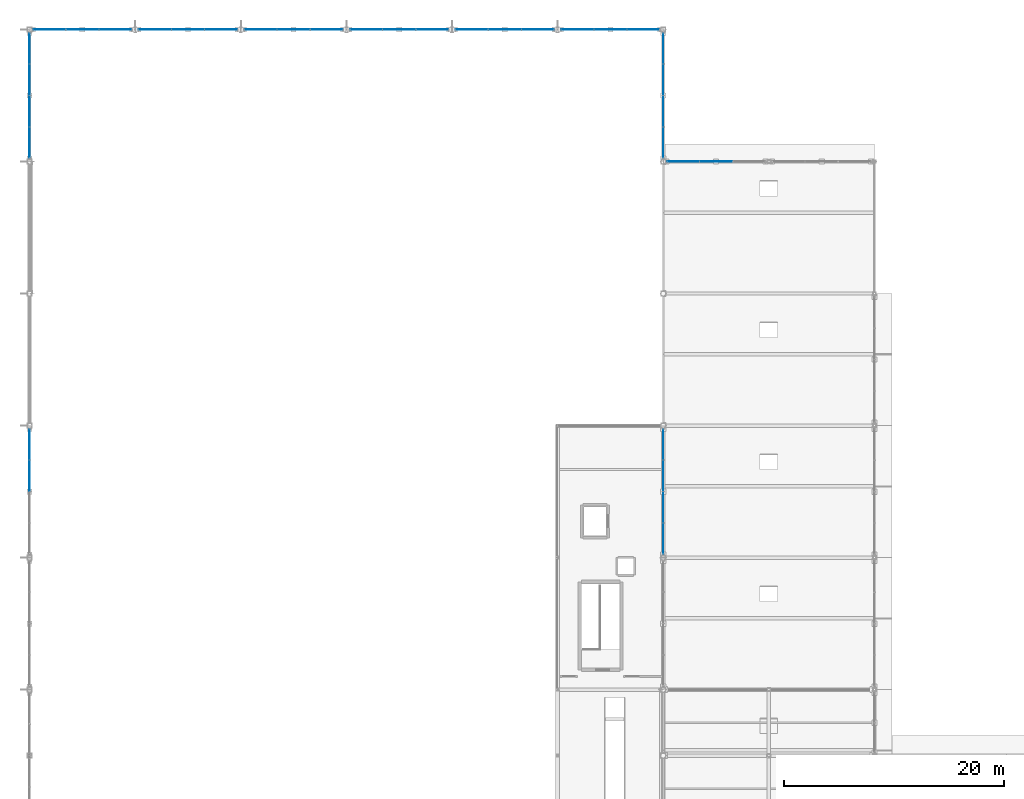
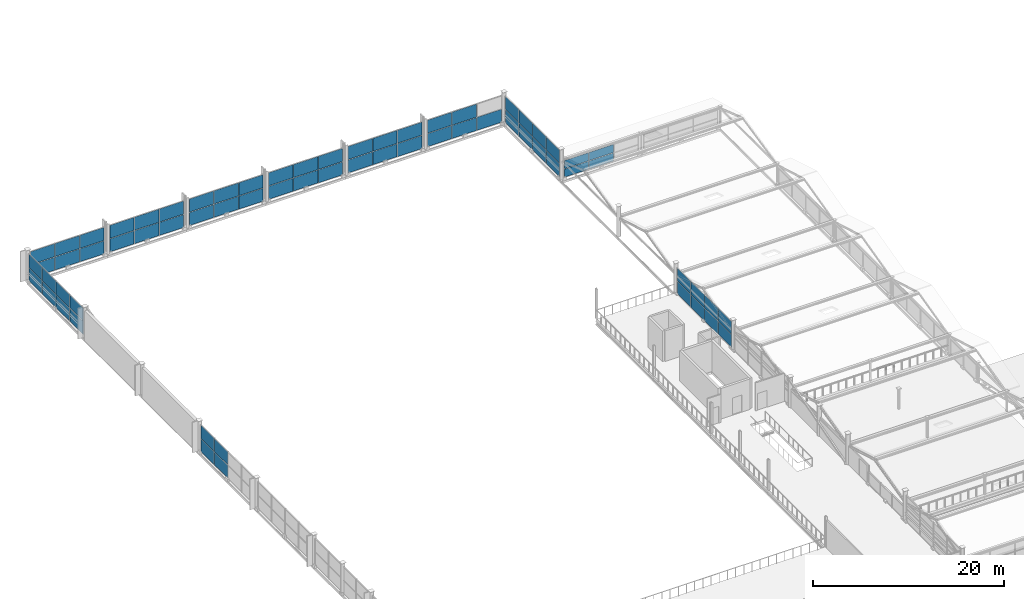
# One storey, part 94 of 117: 67 plates, 11 elements without a shape of their own.
"""IFC4 building model written with IfcOpenShell, lengths in metres."""

from ifc_helpers import new_model, si_unit, direction, frame, origin, origin_2d, place, context, subcontext, project, spatial, rectangle, extrude, material, layer, layer_set, type_object, element, aggregate, save


model = new_model("IFC4")

# Units and contexts
model_context = context("Model", 3, precision=1e-05, world=origin(), true_north=direction((0.0, 1.0)))
body_context = subcontext(model_context, "Body", "Model", "MODEL_VIEW")
ifc_project = project(units=[si_unit("LENGTHUNIT", "METRE"), si_unit("AREAUNIT", "SQUARE_METRE"), si_unit("VOLUMEUNIT", "CUBIC_METRE"), si_unit("PLANEANGLEUNIT", "RADIAN"), si_unit("MASSUNIT", "GRAM", prefix="KILO")], contexts=[model_context])

# Site, building, storey
site_placement = place(None, origin())
site = spatial("IfcSite", under=ifc_project, at=site_placement, CompositionType="ELEMENT")
building_placement = place(site_placement, origin())
building = spatial("IfcBuilding", under=site, at=building_placement, Name="Merenkruunu Market Hall", CompositionType="ELEMENT")
storey_placement = place(building_placement, frame((0.0, 0.0, 10.199951171875)))
storey = spatial("IfcBuildingStorey", under=building, at=storey_placement, Name="L02", CompositionType="ELEMENT", Elevation=10.199951171875)

# Curtain wall, plates
ifc_material_1 = material(Name="Powder-coated aluminium", Category="aluminium")
curtain_wall_type_1 = type_object("IfcCurtainWallType", Name="Glazed Curtain Wall CW13", PredefinedType="USERDEFINED", material=ifc_material_1)
curtain_wall_1_placement = place(storey_placement, origin())
curtain_wall_1 = element("IfcCurtainWall", 1, at=curtain_wall_1_placement, inside=storey, type_object=curtain_wall_type_1, Name="CW-L02-CWM02-015", ObjectType="GLAZED_FACADE", PredefinedType="USERDEFINED")
ifc_material_2 = material(Name="Triple low-E insulated glass", Category="glass")
ifc_layer_1 = layer(ifc_material_2, 0.035888671875)
ifc_layer_set_1 = layer_set([ifc_layer_1], Name="Triple low-E insulated glass")
plate_type_1 = type_object("IfcPlateType", Name="Curtain Wall Glazing Panel CWP05", PredefinedType="CURTAIN_PANEL", material=ifc_layer_set_1)
plate_1_placement = place(storey_placement, frame((0.0, 71.030029296875, 0.06005859375), z_axis=(0.0, 0.0, 1.0), x_axis=(0.0, 1.0, 0.0)))
plate_1 = element("IfcPlate", 2, at=plate_1_placement, type_object=plate_type_1, Name="CW13 panel 3.1", PredefinedType="CURTAIN_PANEL", context=body_context, shape_type="SweptSolid", body=[
    extrude(rectangle(XDim=2.800048828125, YDim=0.035888671875, at=origin_2d()), origin(), (0.0, 0.0, 1.0), 1.659912109375),
])
plate_2_placement = place(storey_placement, frame((0.0, 71.030029296875, 1.7802734375), z_axis=(0.0, 0.0, 1.0), x_axis=(0.0, 1.0, 0.0)))
plate_2 = element("IfcPlate", 3, at=plate_2_placement, type_object=plate_type_1, Name="CW13 panel 3.2", PredefinedType="CURTAIN_PANEL", context=body_context, shape_type="SweptSolid", body=[
    extrude(rectangle(XDim=2.800048828125, YDim=0.035888671875, at=origin_2d()), origin(), (0.0, 0.0, 1.0), 1.659912109375),
])
plate_3_placement = place(storey_placement, frame((0.0, 73.875, 0.06005859375), z_axis=(0.0, 0.0, 1.0), x_axis=(0.0, 1.0, 0.0)))
plate_3 = element("IfcPlate", 4, at=plate_3_placement, type_object=plate_type_1, Name="CW13 panel 4.1", PredefinedType="CURTAIN_PANEL", context=body_context, shape_type="SweptSolid", body=[
    extrude(rectangle(XDim=2.77001953125, YDim=0.035888671875, at=origin_2d()), origin(), (0.0, 0.0, 1.0), 1.659912109375),
])
plate_4_placement = place(storey_placement, frame((0.0, 73.875, 1.7802734375), z_axis=(0.0, 0.0, 1.0), x_axis=(0.0, 1.0, 0.0)))
plate_4 = element("IfcPlate", 5, at=plate_4_placement, type_object=plate_type_1, Name="CW13 panel 4.2", PredefinedType="CURTAIN_PANEL", context=body_context, shape_type="SweptSolid", body=[
    extrude(rectangle(XDim=2.77001953125, YDim=0.035888671875, at=origin_2d()), origin(), (0.0, 0.0, 1.0), 1.659912109375),
])
aggregate(curtain_wall_1, [plate_1, plate_2, plate_3, plate_4])

curtain_wall_type_2 = type_object("IfcCurtainWallType", Name="Glazed Curtain Wall CW10", PredefinedType="USERDEFINED", material=ifc_material_1)
curtain_wall_2_placement = place(storey_placement, origin())
curtain_wall_2 = element("IfcCurtainWall", 6, at=curtain_wall_2_placement, inside=storey, type_object=curtain_wall_type_2, Name="CW-L02-CWM02-053", ObjectType="GLAZED_FACADE", PredefinedType="USERDEFINED")
plate_5_placement = place(storey_placement, frame((1.8017578125, 111.60009765625, 0.06005859375), z_axis=(0.0, 0.0, 1.0), x_axis=(1.0, 0.0, 0.0)))
plate_5 = element("IfcPlate", 7, at=plate_5_placement, type_object=plate_type_1, Name="CW10 panel 1.1", PredefinedType="CURTAIN_PANEL", context=body_context, shape_type="SweptSolid", body=[
    extrude(rectangle(XDim=2.92333984375, YDim=0.035888671875, at=origin_2d()), origin(), (0.0, 0.0, 1.0), 1.659912109375),
])
plate_6_placement = place(storey_placement, frame((1.8017578125, 111.60009765625, 1.7802734375), z_axis=(0.0, 0.0, 1.0), x_axis=(1.0, 0.0, 0.0)))
plate_6 = element("IfcPlate", 8, at=plate_6_placement, type_object=plate_type_1, Name="CW10 panel 1.2", PredefinedType="CURTAIN_PANEL", context=body_context, shape_type="SweptSolid", body=[
    extrude(rectangle(XDim=2.92333984375, YDim=0.035888671875, at=origin_2d()), origin(), (0.0, 0.0, 1.0), 1.659912109375),
])
plate_7_placement = place(storey_placement, frame((4.800048828125, 111.60009765625, 0.06005859375), z_axis=(0.0, 0.0, 1.0), x_axis=(1.0, 0.0, 0.0)))
plate_7 = element("IfcPlate", 9, at=plate_7_placement, type_object=plate_type_1, Name="CW10 panel 2.1", PredefinedType="CURTAIN_PANEL", context=body_context, shape_type="SweptSolid", body=[
    extrude(rectangle(XDim=2.953369140625, YDim=0.035888671875, at=origin_2d()), origin(), (0.0, 0.0, 1.0), 1.659912109375),
])
plate_8_placement = place(storey_placement, frame((4.800048828125, 111.60009765625, 1.7802734375), z_axis=(0.0, 0.0, 1.0), x_axis=(1.0, 0.0, 0.0)))
plate_8 = element("IfcPlate", 10, at=plate_8_placement, type_object=plate_type_1, Name="CW10 panel 2.2", PredefinedType="CURTAIN_PANEL", context=body_context, shape_type="SweptSolid", body=[
    extrude(rectangle(XDim=2.953369140625, YDim=0.035888671875, at=origin_2d()), origin(), (0.0, 0.0, 1.0), 1.659912109375),
])
plate_9_placement = place(storey_placement, frame((7.79833984375, 111.60009765625, 0.06005859375), z_axis=(0.0, 0.0, 1.0), x_axis=(1.0, 0.0, 0.0)))
plate_9 = element("IfcPlate", 11, at=plate_9_placement, type_object=plate_type_1, Name="CW10 panel 3.1", PredefinedType="CURTAIN_PANEL", context=body_context, shape_type="SweptSolid", body=[
    extrude(rectangle(XDim=2.92333984375, YDim=0.035888671875, at=origin_2d()), origin(), (0.0, 0.0, 1.0), 1.659912109375),
])
plate_10_placement = place(storey_placement, frame((7.79833984375, 111.60009765625, 1.7802734375), z_axis=(0.0, 0.0, 1.0), x_axis=(1.0, 0.0, 0.0)))
plate_10 = element("IfcPlate", 12, at=plate_10_placement, type_object=plate_type_1, Name="CW10 panel 3.2", PredefinedType="CURTAIN_PANEL", context=body_context, shape_type="SweptSolid", body=[
    extrude(rectangle(XDim=2.92333984375, YDim=0.035888671875, at=origin_2d()), origin(), (0.0, 0.0, 1.0), 1.659912109375),
])
aggregate(curtain_wall_2, [plate_5, plate_6, plate_7, plate_8, plate_9, plate_10])

curtain_wall_3_placement = place(storey_placement, origin())
curtain_wall_3 = element("IfcCurtainWall", 13, at=curtain_wall_3_placement, inside=storey, type_object=curtain_wall_type_2, Name="CW-L02-CWM02-055", ObjectType="GLAZED_FACADE", PredefinedType="USERDEFINED")
plate_11_placement = place(storey_placement, frame((11.401611328125, 111.60009765625, 0.06005859375), z_axis=(0.0, 0.0, 1.0), x_axis=(1.0, 0.0, 0.0)))
plate_11 = element("IfcPlate", 14, at=plate_11_placement, type_object=plate_type_1, Name="CW10 panel 1.1", PredefinedType="CURTAIN_PANEL", context=body_context, shape_type="SweptSolid", body=[
    extrude(rectangle(XDim=2.92333984375, YDim=0.035888671875, at=origin_2d()), origin(), (0.0, 0.0, 1.0), 1.659912109375),
])
plate_12_placement = place(storey_placement, frame((11.401611328125, 111.60009765625, 1.7802734375), z_axis=(0.0, 0.0, 1.0), x_axis=(1.0, 0.0, 0.0)))
plate_12 = element("IfcPlate", 15, at=plate_12_placement, type_object=plate_type_1, Name="CW10 panel 1.2", PredefinedType="CURTAIN_PANEL", context=body_context, shape_type="SweptSolid", body=[
    extrude(rectangle(XDim=2.92333984375, YDim=0.035888671875, at=origin_2d()), origin(), (0.0, 0.0, 1.0), 1.659912109375),
])
plate_13_placement = place(storey_placement, frame((14.39990234375, 111.60009765625, 0.06005859375), z_axis=(0.0, 0.0, 1.0), x_axis=(1.0, 0.0, 0.0)))
plate_13 = element("IfcPlate", 16, at=plate_13_placement, type_object=plate_type_1, Name="CW10 panel 2.1", PredefinedType="CURTAIN_PANEL", context=body_context, shape_type="SweptSolid", body=[
    extrude(rectangle(XDim=2.953369140625, YDim=0.035888671875, at=origin_2d()), origin(), (0.0, 0.0, 1.0), 1.659912109375),
])
plate_14_placement = place(storey_placement, frame((14.39990234375, 111.60009765625, 1.7802734375), z_axis=(0.0, 0.0, 1.0), x_axis=(1.0, 0.0, 0.0)))
plate_14 = element("IfcPlate", 17, at=plate_14_placement, type_object=plate_type_1, Name="CW10 panel 2.2", PredefinedType="CURTAIN_PANEL", context=body_context, shape_type="SweptSolid", body=[
    extrude(rectangle(XDim=2.953369140625, YDim=0.035888671875, at=origin_2d()), origin(), (0.0, 0.0, 1.0), 1.659912109375),
])
plate_15_placement = place(storey_placement, frame((17.3984375, 111.60009765625, 0.06005859375), z_axis=(0.0, 0.0, 1.0), x_axis=(1.0, 0.0, 0.0)))
plate_15 = element("IfcPlate", 18, at=plate_15_placement, type_object=plate_type_1, Name="CW10 panel 3.1", PredefinedType="CURTAIN_PANEL", context=body_context, shape_type="SweptSolid", body=[
    extrude(rectangle(XDim=2.92333984375, YDim=0.035888671875, at=origin_2d()), origin(), (0.0, 0.0, 1.0), 1.659912109375),
])
plate_16_placement = place(storey_placement, frame((17.3984375, 111.60009765625, 1.7802734375), z_axis=(0.0, 0.0, 1.0), x_axis=(1.0, 0.0, 0.0)))
plate_16 = element("IfcPlate", 19, at=plate_16_placement, type_object=plate_type_1, Name="CW10 panel 3.2", PredefinedType="CURTAIN_PANEL", context=body_context, shape_type="SweptSolid", body=[
    extrude(rectangle(XDim=2.92333984375, YDim=0.035888671875, at=origin_2d()), origin(), (0.0, 0.0, 1.0), 1.659912109375),
])
aggregate(curtain_wall_3, [plate_11, plate_12, plate_13, plate_14, plate_15, plate_16])

curtain_wall_4_placement = place(storey_placement, origin())
curtain_wall_4 = element("IfcCurtainWall", 20, at=curtain_wall_4_placement, inside=storey, type_object=curtain_wall_type_2, Name="CW-L02-CWM02-058", ObjectType="GLAZED_FACADE", PredefinedType="USERDEFINED")
plate_17_placement = place(storey_placement, frame((21.001708984375, 111.60009765625, 0.06005859375), z_axis=(0.0, 0.0, 1.0), x_axis=(1.0, 0.0, 0.0)))
plate_17 = element("IfcPlate", 21, at=plate_17_placement, type_object=plate_type_1, Name="CW10 panel 1.1", PredefinedType="CURTAIN_PANEL", context=body_context, shape_type="SweptSolid", body=[
    extrude(rectangle(XDim=2.92333984375, YDim=0.035888671875, at=origin_2d()), origin(), (0.0, 0.0, 1.0), 1.659912109375),
])
plate_18_placement = place(storey_placement, frame((21.001708984375, 111.60009765625, 1.7802734375), z_axis=(0.0, 0.0, 1.0), x_axis=(1.0, 0.0, 0.0)))
plate_18 = element("IfcPlate", 22, at=plate_18_placement, type_object=plate_type_1, Name="CW10 panel 1.2", PredefinedType="CURTAIN_PANEL", context=body_context, shape_type="SweptSolid", body=[
    extrude(rectangle(XDim=2.92333984375, YDim=0.035888671875, at=origin_2d()), origin(), (0.0, 0.0, 1.0), 1.659912109375),
])
plate_19_placement = place(storey_placement, frame((24.0, 111.60009765625, 0.06005859375), z_axis=(0.0, 0.0, 1.0), x_axis=(1.0, 0.0, 0.0)))
plate_19 = element("IfcPlate", 23, at=plate_19_placement, type_object=plate_type_1, Name="CW10 panel 2.1", PredefinedType="CURTAIN_PANEL", context=body_context, shape_type="SweptSolid", body=[
    extrude(rectangle(XDim=2.953369140625, YDim=0.035888671875, at=origin_2d()), origin(), (0.0, 0.0, 1.0), 1.659912109375),
])
plate_20_placement = place(storey_placement, frame((24.0, 111.60009765625, 1.7802734375), z_axis=(0.0, 0.0, 1.0), x_axis=(1.0, 0.0, 0.0)))
plate_20 = element("IfcPlate", 24, at=plate_20_placement, type_object=plate_type_1, Name="CW10 panel 2.2", PredefinedType="CURTAIN_PANEL", context=body_context, shape_type="SweptSolid", body=[
    extrude(rectangle(XDim=2.953369140625, YDim=0.035888671875, at=origin_2d()), origin(), (0.0, 0.0, 1.0), 1.659912109375),
])
plate_21_placement = place(storey_placement, frame((26.998291015625, 111.60009765625, 0.06005859375), z_axis=(0.0, 0.0, 1.0), x_axis=(1.0, 0.0, 0.0)))
plate_21 = element("IfcPlate", 25, at=plate_21_placement, type_object=plate_type_1, Name="CW10 panel 3.1", PredefinedType="CURTAIN_PANEL", context=body_context, shape_type="SweptSolid", body=[
    extrude(rectangle(XDim=2.92333984375, YDim=0.035888671875, at=origin_2d()), origin(), (0.0, 0.0, 1.0), 1.659912109375),
])
plate_22_placement = place(storey_placement, frame((26.998291015625, 111.60009765625, 1.7802734375), z_axis=(0.0, 0.0, 1.0), x_axis=(1.0, 0.0, 0.0)))
plate_22 = element("IfcPlate", 26, at=plate_22_placement, type_object=plate_type_1, Name="CW10 panel 3.2", PredefinedType="CURTAIN_PANEL", context=body_context, shape_type="SweptSolid", body=[
    extrude(rectangle(XDim=2.92333984375, YDim=0.035888671875, at=origin_2d()), origin(), (0.0, 0.0, 1.0), 1.659912109375),
])
aggregate(curtain_wall_4, [plate_17, plate_18, plate_19, plate_20, plate_21, plate_22])

curtain_wall_5_placement = place(storey_placement, origin())
curtain_wall_5 = element("IfcCurtainWall", 27, at=curtain_wall_5_placement, inside=storey, type_object=curtain_wall_type_2, Name="CW-L02-CWM02-061", ObjectType="GLAZED_FACADE", PredefinedType="USERDEFINED")
plate_23_placement = place(storey_placement, frame((30.6015625, 111.60009765625, 0.06005859375), z_axis=(0.0, 0.0, 1.0), x_axis=(1.0, 0.0, 0.0)))
plate_23 = element("IfcPlate", 28, at=plate_23_placement, type_object=plate_type_1, Name="CW10 panel 1.1", PredefinedType="CURTAIN_PANEL", context=body_context, shape_type="SweptSolid", body=[
    extrude(rectangle(XDim=2.92333984375, YDim=0.035888671875, at=origin_2d()), origin(), (0.0, 0.0, 1.0), 1.659912109375),
])
plate_24_placement = place(storey_placement, frame((30.6015625, 111.60009765625, 1.7802734375), z_axis=(0.0, 0.0, 1.0), x_axis=(1.0, 0.0, 0.0)))
plate_24 = element("IfcPlate", 29, at=plate_24_placement, type_object=plate_type_1, Name="CW10 panel 1.2", PredefinedType="CURTAIN_PANEL", context=body_context, shape_type="SweptSolid", body=[
    extrude(rectangle(XDim=2.92333984375, YDim=0.035888671875, at=origin_2d()), origin(), (0.0, 0.0, 1.0), 1.659912109375),
])
plate_25_placement = place(storey_placement, frame((33.60009765625, 111.60009765625, 0.06005859375), z_axis=(0.0, 0.0, 1.0), x_axis=(1.0, 0.0, 0.0)))
plate_25 = element("IfcPlate", 30, at=plate_25_placement, type_object=plate_type_1, Name="CW10 panel 2.1", PredefinedType="CURTAIN_PANEL", context=body_context, shape_type="SweptSolid", body=[
    extrude(rectangle(XDim=2.953369140625, YDim=0.035888671875, at=origin_2d()), origin(), (0.0, 0.0, 1.0), 1.659912109375),
])
plate_26_placement = place(storey_placement, frame((33.60009765625, 111.60009765625, 1.7802734375), z_axis=(0.0, 0.0, 1.0), x_axis=(1.0, 0.0, 0.0)))
plate_26 = element("IfcPlate", 31, at=plate_26_placement, type_object=plate_type_1, Name="CW10 panel 2.2", PredefinedType="CURTAIN_PANEL", context=body_context, shape_type="SweptSolid", body=[
    extrude(rectangle(XDim=2.953369140625, YDim=0.035888671875, at=origin_2d()), origin(), (0.0, 0.0, 1.0), 1.659912109375),
])
plate_27_placement = place(storey_placement, frame((36.598388671875, 111.60009765625, 0.06005859375), z_axis=(0.0, 0.0, 1.0), x_axis=(1.0, 0.0, 0.0)))
plate_27 = element("IfcPlate", 32, at=plate_27_placement, type_object=plate_type_1, Name="CW10 panel 3.1", PredefinedType="CURTAIN_PANEL", context=body_context, shape_type="SweptSolid", body=[
    extrude(rectangle(XDim=2.92333984375, YDim=0.035888671875, at=origin_2d()), origin(), (0.0, 0.0, 1.0), 1.659912109375),
])
plate_28_placement = place(storey_placement, frame((36.598388671875, 111.60009765625, 1.7802734375), z_axis=(0.0, 0.0, 1.0), x_axis=(1.0, 0.0, 0.0)))
plate_28 = element("IfcPlate", 33, at=plate_28_placement, type_object=plate_type_1, Name="CW10 panel 3.2", PredefinedType="CURTAIN_PANEL", context=body_context, shape_type="SweptSolid", body=[
    extrude(rectangle(XDim=2.92333984375, YDim=0.035888671875, at=origin_2d()), origin(), (0.0, 0.0, 1.0), 1.659912109375),
])
aggregate(curtain_wall_5, [plate_23, plate_24, plate_25, plate_26, plate_27, plate_28])

curtain_wall_6_placement = place(storey_placement, origin())
curtain_wall_6 = element("IfcCurtainWall", 34, at=curtain_wall_6_placement, inside=storey, type_object=curtain_wall_type_2, Name="CW-L02-CWM02-064", ObjectType="GLAZED_FACADE", PredefinedType="USERDEFINED")
plate_29_placement = place(storey_placement, frame((40.20166015625, 111.60009765625, 0.06005859375), z_axis=(0.0, 0.0, 1.0), x_axis=(1.0, 0.0, 0.0)))
plate_29 = element("IfcPlate", 35, at=plate_29_placement, type_object=plate_type_1, Name="CW10 panel 1.1", PredefinedType="CURTAIN_PANEL", context=body_context, shape_type="SweptSolid", body=[
    extrude(rectangle(XDim=2.92333984375, YDim=0.035888671875, at=origin_2d()), origin(), (0.0, 0.0, 1.0), 1.659912109375),
])
plate_30_placement = place(storey_placement, frame((40.20166015625, 111.60009765625, 1.7802734375), z_axis=(0.0, 0.0, 1.0), x_axis=(1.0, 0.0, 0.0)))
plate_30 = element("IfcPlate", 36, at=plate_30_placement, type_object=plate_type_1, Name="CW10 panel 1.2", PredefinedType="CURTAIN_PANEL", context=body_context, shape_type="SweptSolid", body=[
    extrude(rectangle(XDim=2.92333984375, YDim=0.035888671875, at=origin_2d()), origin(), (0.0, 0.0, 1.0), 1.659912109375),
])
plate_31_placement = place(storey_placement, frame((43.199951171875, 111.60009765625, 0.06005859375), z_axis=(0.0, 0.0, 1.0), x_axis=(1.0, 0.0, 0.0)))
plate_31 = element("IfcPlate", 37, at=plate_31_placement, type_object=plate_type_1, Name="CW10 panel 2.1", PredefinedType="CURTAIN_PANEL", context=body_context, shape_type="SweptSolid", body=[
    extrude(rectangle(XDim=2.953369140625, YDim=0.035888671875, at=origin_2d()), origin(), (0.0, 0.0, 1.0), 1.659912109375),
])
plate_32_placement = place(storey_placement, frame((43.199951171875, 111.60009765625, 1.7802734375), z_axis=(0.0, 0.0, 1.0), x_axis=(1.0, 0.0, 0.0)))
plate_32 = element("IfcPlate", 38, at=plate_32_placement, type_object=plate_type_1, Name="CW10 panel 2.2", PredefinedType="CURTAIN_PANEL", context=body_context, shape_type="SweptSolid", body=[
    extrude(rectangle(XDim=2.953369140625, YDim=0.035888671875, at=origin_2d()), origin(), (0.0, 0.0, 1.0), 1.659912109375),
])
plate_33_placement = place(storey_placement, frame((46.1982421875, 111.60009765625, 0.06005859375), z_axis=(0.0, 0.0, 1.0), x_axis=(1.0, 0.0, 0.0)))
plate_33 = element("IfcPlate", 39, at=plate_33_placement, type_object=plate_type_1, Name="CW10 panel 3.1", PredefinedType="CURTAIN_PANEL", context=body_context, shape_type="SweptSolid", body=[
    extrude(rectangle(XDim=2.92333984375, YDim=0.035888671875, at=origin_2d()), origin(), (0.0, 0.0, 1.0), 1.659912109375),
])
plate_34_placement = place(storey_placement, frame((46.1982421875, 111.60009765625, 1.7802734375), z_axis=(0.0, 0.0, 1.0), x_axis=(1.0, 0.0, 0.0)))
plate_34 = element("IfcPlate", 40, at=plate_34_placement, type_object=plate_type_1, Name="CW10 panel 3.2", PredefinedType="CURTAIN_PANEL", context=body_context, shape_type="SweptSolid", body=[
    extrude(rectangle(XDim=2.92333984375, YDim=0.035888671875, at=origin_2d()), origin(), (0.0, 0.0, 1.0), 1.659912109375),
])
aggregate(curtain_wall_6, [plate_29, plate_30, plate_31, plate_32, plate_33, plate_34])

curtain_wall_7_placement = place(storey_placement, origin())
curtain_wall_7 = element("IfcCurtainWall", 41, at=curtain_wall_7_placement, inside=storey, type_object=curtain_wall_type_2, Name="CW-L02-CWM02-066", ObjectType="GLAZED_FACADE", PredefinedType="USERDEFINED")
plate_35_placement = place(storey_placement, frame((49.8017578125, 111.60009765625, 0.06005859375), z_axis=(0.0, 0.0, 1.0), x_axis=(1.0, 0.0, 0.0)))
plate_35 = element("IfcPlate", 42, at=plate_35_placement, type_object=plate_type_1, Name="CW10 panel 1.1", PredefinedType="CURTAIN_PANEL", context=body_context, shape_type="SweptSolid", body=[
    extrude(rectangle(XDim=2.92333984375, YDim=0.035888671875, at=origin_2d()), origin(), (0.0, 0.0, 1.0), 1.659912109375),
])
plate_36_placement = place(storey_placement, frame((49.8017578125, 111.60009765625, 1.7802734375), z_axis=(0.0, 0.0, 1.0), x_axis=(1.0, 0.0, 0.0)))
plate_36 = element("IfcPlate", 43, at=plate_36_placement, type_object=plate_type_1, Name="CW10 panel 1.2", PredefinedType="CURTAIN_PANEL", context=body_context, shape_type="SweptSolid", body=[
    extrude(rectangle(XDim=2.92333984375, YDim=0.035888671875, at=origin_2d()), origin(), (0.0, 0.0, 1.0), 1.659912109375),
])
plate_37_placement = place(storey_placement, frame((52.800048828125, 111.60009765625, 0.06005859375), z_axis=(0.0, 0.0, 1.0), x_axis=(1.0, 0.0, 0.0)))
plate_37 = element("IfcPlate", 44, at=plate_37_placement, type_object=plate_type_1, Name="CW10 panel 2.1", PredefinedType="CURTAIN_PANEL", context=body_context, shape_type="SweptSolid", body=[
    extrude(rectangle(XDim=2.953369140625, YDim=0.035888671875, at=origin_2d()), origin(), (0.0, 0.0, 1.0), 1.659912109375),
])
plate_38_placement = place(storey_placement, frame((52.800048828125, 111.60009765625, 1.7802734375), z_axis=(0.0, 0.0, 1.0), x_axis=(1.0, 0.0, 0.0)))
plate_38 = element("IfcPlate", 45, at=plate_38_placement, type_object=plate_type_1, Name="CW10 panel 2.2", PredefinedType="CURTAIN_PANEL", context=body_context, shape_type="SweptSolid", body=[
    extrude(rectangle(XDim=2.953369140625, YDim=0.035888671875, at=origin_2d()), origin(), (0.0, 0.0, 1.0), 1.659912109375),
])
plate_39_placement = place(storey_placement, frame((55.79833984375, 111.60009765625, 0.06005859375), z_axis=(0.0, 0.0, 1.0), x_axis=(1.0, 0.0, 0.0)))
plate_39 = element("IfcPlate", 46, at=plate_39_placement, type_object=plate_type_1, Name="CW10 panel 3.1", PredefinedType="CURTAIN_PANEL", context=body_context, shape_type="SweptSolid", body=[
    extrude(rectangle(XDim=2.92333984375, YDim=0.035888671875, at=origin_2d()), origin(), (0.0, 0.0, 1.0), 1.659912109375),
])
aggregate(curtain_wall_7, [plate_35, plate_36, plate_37, plate_38, plate_39])

curtain_wall_8_placement = place(storey_placement, origin())
curtain_wall_8 = element("IfcCurtainWall", 47, at=curtain_wall_8_placement, inside=storey, type_object=curtain_wall_type_1, Name="CW-L02-CWM02-018", ObjectType="GLAZED_FACADE", PredefinedType="USERDEFINED")
ifc_layer_2 = layer(ifc_material_2, 0.035888671875)
ifc_layer_set_2 = layer_set([ifc_layer_2], Name="Triple low-E insulated glass")
plate_type_2 = type_object("IfcPlateType", Name="Curtain Wall Glazing Panel CWP09", PredefinedType="CURTAIN_PANEL", material=ifc_layer_set_2)
plate_40_placement = place(storey_placement, frame((0.0, 101.324951171875, 0.06005859375), z_axis=(0.0, 0.0, 1.0), x_axis=(0.0, 1.0, 0.0)))
plate_40 = element("IfcPlate", 48, at=plate_40_placement, type_object=plate_type_2, Name="CW13 panel 1.1", PredefinedType="CURTAIN_PANEL", context=body_context, shape_type="SweptSolid", body=[
    extrude(rectangle(XDim=2.77001953125, YDim=0.035888671875, at=origin_2d()), origin(), (0.0, 0.0, 1.0), 1.659912109375),
])
plate_41_placement = place(storey_placement, frame((0.0, 101.324951171875, 1.7802734375), z_axis=(0.0, 0.0, 1.0), x_axis=(0.0, 1.0, 0.0)))
plate_41 = element("IfcPlate", 49, at=plate_41_placement, type_object=plate_type_2, Name="CW13 panel 1.2", PredefinedType="CURTAIN_PANEL", context=body_context, shape_type="SweptSolid", body=[
    extrude(rectangle(XDim=2.77001953125, YDim=0.035888671875, at=origin_2d()), origin(), (0.0, 0.0, 1.0), 1.659912109375),
])
plate_42_placement = place(storey_placement, frame((0.0, 104.169921875, 0.06005859375), z_axis=(0.0, 0.0, 1.0), x_axis=(0.0, 1.0, 0.0)))
plate_42 = element("IfcPlate", 50, at=plate_42_placement, type_object=plate_type_2, Name="CW13 panel 2.1", PredefinedType="CURTAIN_PANEL", context=body_context, shape_type="SweptSolid", body=[
    extrude(rectangle(XDim=2.800048828125, YDim=0.035888671875, at=origin_2d()), origin(), (0.0, 0.0, 1.0), 1.659912109375),
])
plate_43_placement = place(storey_placement, frame((0.0, 104.169921875, 1.7802734375), z_axis=(0.0, 0.0, 1.0), x_axis=(0.0, 1.0, 0.0)))
plate_43 = element("IfcPlate", 51, at=plate_43_placement, type_object=plate_type_2, Name="CW13 panel 2.2", PredefinedType="CURTAIN_PANEL", context=body_context, shape_type="SweptSolid", body=[
    extrude(rectangle(XDim=2.800048828125, YDim=0.035888671875, at=origin_2d()), origin(), (0.0, 0.0, 1.0), 1.659912109375),
])
plate_44_placement = place(storey_placement, frame((0.0, 107.030029296875, 0.06005859375), z_axis=(0.0, 0.0, 1.0), x_axis=(0.0, 1.0, 0.0)))
plate_44 = element("IfcPlate", 52, at=plate_44_placement, type_object=plate_type_2, Name="CW13 panel 3.1", PredefinedType="CURTAIN_PANEL", context=body_context, shape_type="SweptSolid", body=[
    extrude(rectangle(XDim=2.800048828125, YDim=0.035888671875, at=origin_2d()), origin(), (0.0, 0.0, 1.0), 1.659912109375),
])
plate_45_placement = place(storey_placement, frame((0.0, 107.030029296875, 1.7802734375), z_axis=(0.0, 0.0, 1.0), x_axis=(0.0, 1.0, 0.0)))
plate_45 = element("IfcPlate", 53, at=plate_45_placement, type_object=plate_type_2, Name="CW13 panel 3.2", PredefinedType="CURTAIN_PANEL", context=body_context, shape_type="SweptSolid", body=[
    extrude(rectangle(XDim=2.800048828125, YDim=0.035888671875, at=origin_2d()), origin(), (0.0, 0.0, 1.0), 1.659912109375),
])
plate_46_placement = place(storey_placement, frame((0.0, 109.875, 0.06005859375), z_axis=(0.0, 0.0, 1.0), x_axis=(0.0, 1.0, 0.0)))
plate_46 = element("IfcPlate", 54, at=plate_46_placement, type_object=plate_type_2, Name="CW13 panel 4.1", PredefinedType="CURTAIN_PANEL", context=body_context, shape_type="SweptSolid", body=[
    extrude(rectangle(XDim=2.77001953125, YDim=0.035888671875, at=origin_2d()), origin(), (0.0, 0.0, 1.0), 1.659912109375),
])
plate_47_placement = place(storey_placement, frame((0.0, 109.875, 1.7802734375), z_axis=(0.0, 0.0, 1.0), x_axis=(0.0, 1.0, 0.0)))
plate_47 = element("IfcPlate", 55, at=plate_47_placement, type_object=plate_type_2, Name="CW13 panel 4.2", PredefinedType="CURTAIN_PANEL", context=body_context, shape_type="SweptSolid", body=[
    extrude(rectangle(XDim=2.77001953125, YDim=0.035888671875, at=origin_2d()), origin(), (0.0, 0.0, 1.0), 1.659912109375),
])
aggregate(curtain_wall_8, [plate_40, plate_41, plate_42, plate_43, plate_44, plate_45, plate_46, plate_47])

curtain_wall_9_placement = place(storey_placement, origin())
curtain_wall_9 = element("IfcCurtainWall", 56, at=curtain_wall_9_placement, inside=storey, type_object=curtain_wall_type_1, Name="CW-L02-CWM02-132", ObjectType="GLAZED_FACADE", PredefinedType="USERDEFINED")
plate_48_placement = place(storey_placement, frame((57.60009765625, 65.324951171875, 0.06005859375), z_axis=(0.0, 0.0, 1.0), x_axis=(0.0, 1.0, 0.0)))
plate_48 = element("IfcPlate", 57, at=plate_48_placement, type_object=plate_type_2, Name="CW13 panel 1.1", PredefinedType="CURTAIN_PANEL", context=body_context, shape_type="SweptSolid", body=[
    extrude(rectangle(XDim=2.77001953125, YDim=0.035888671875, at=origin_2d()), origin(), (0.0, 0.0, 1.0), 1.610107421875),
])
plate_49_placement = place(storey_placement, frame((57.60009765625, 65.324951171875, 1.72998046875), z_axis=(0.0, 0.0, 1.0), x_axis=(0.0, 1.0, 0.0)))
plate_49 = element("IfcPlate", 58, at=plate_49_placement, type_object=plate_type_2, Name="CW13 panel 1.2", PredefinedType="CURTAIN_PANEL", context=body_context, shape_type="SweptSolid", body=[
    extrude(rectangle(XDim=2.77001953125, YDim=0.035888671875, at=origin_2d()), origin(), (0.0, 0.0, 1.0), 1.610107421875),
])
plate_50_placement = place(storey_placement, frame((57.60009765625, 68.169921875, 0.06005859375), z_axis=(0.0, 0.0, 1.0), x_axis=(0.0, 1.0, 0.0)))
plate_50 = element("IfcPlate", 59, at=plate_50_placement, type_object=plate_type_2, Name="CW13 panel 2.1", PredefinedType="CURTAIN_PANEL", context=body_context, shape_type="SweptSolid", body=[
    extrude(rectangle(XDim=2.800048828125, YDim=0.035888671875, at=origin_2d()), origin(), (0.0, 0.0, 1.0), 1.610107421875),
])
plate_51_placement = place(storey_placement, frame((57.60009765625, 68.169921875, 1.72998046875), z_axis=(0.0, 0.0, 1.0), x_axis=(0.0, 1.0, 0.0)))
plate_51 = element("IfcPlate", 60, at=plate_51_placement, type_object=plate_type_2, Name="CW13 panel 2.2", PredefinedType="CURTAIN_PANEL", context=body_context, shape_type="SweptSolid", body=[
    extrude(rectangle(XDim=2.800048828125, YDim=0.035888671875, at=origin_2d()), origin(), (0.0, 0.0, 1.0), 1.610107421875),
])
plate_52_placement = place(storey_placement, frame((57.60009765625, 71.030029296875, 0.06005859375), z_axis=(0.0, 0.0, 1.0), x_axis=(0.0, 1.0, 0.0)))
plate_52 = element("IfcPlate", 61, at=plate_52_placement, type_object=plate_type_2, Name="CW13 panel 3.1", PredefinedType="CURTAIN_PANEL", context=body_context, shape_type="SweptSolid", body=[
    extrude(rectangle(XDim=2.800048828125, YDim=0.035888671875, at=origin_2d()), origin(), (0.0, 0.0, 1.0), 1.610107421875),
])
plate_53_placement = place(storey_placement, frame((57.60009765625, 71.030029296875, 1.72998046875), z_axis=(0.0, 0.0, 1.0), x_axis=(0.0, 1.0, 0.0)))
plate_53 = element("IfcPlate", 62, at=plate_53_placement, type_object=plate_type_2, Name="CW13 panel 3.2", PredefinedType="CURTAIN_PANEL", context=body_context, shape_type="SweptSolid", body=[
    extrude(rectangle(XDim=2.800048828125, YDim=0.035888671875, at=origin_2d()), origin(), (0.0, 0.0, 1.0), 1.610107421875),
])
plate_54_placement = place(storey_placement, frame((57.60009765625, 73.875, 0.06005859375), z_axis=(0.0, 0.0, 1.0), x_axis=(0.0, 1.0, 0.0)))
plate_54 = element("IfcPlate", 63, at=plate_54_placement, type_object=plate_type_2, Name="CW13 panel 4.1", PredefinedType="CURTAIN_PANEL", context=body_context, shape_type="SweptSolid", body=[
    extrude(rectangle(XDim=2.77001953125, YDim=0.035888671875, at=origin_2d()), origin(), (0.0, 0.0, 1.0), 1.610107421875),
])
plate_55_placement = place(storey_placement, frame((57.60009765625, 73.875, 1.72998046875), z_axis=(0.0, 0.0, 1.0), x_axis=(0.0, 1.0, 0.0)))
plate_55 = element("IfcPlate", 64, at=plate_55_placement, type_object=plate_type_2, Name="CW13 panel 4.2", PredefinedType="CURTAIN_PANEL", context=body_context, shape_type="SweptSolid", body=[
    extrude(rectangle(XDim=2.77001953125, YDim=0.035888671875, at=origin_2d()), origin(), (0.0, 0.0, 1.0), 1.610107421875),
])
aggregate(curtain_wall_9, [plate_48, plate_49, plate_50, plate_51, plate_52, plate_53, plate_54, plate_55])

curtain_wall_10_placement = place(storey_placement, origin())
curtain_wall_10 = element("IfcCurtainWall", 65, at=curtain_wall_10_placement, inside=storey, type_object=curtain_wall_type_1, Name="CW-L02-CWM02-138", ObjectType="GLAZED_FACADE", PredefinedType="USERDEFINED")
plate_56_placement = place(storey_placement, frame((57.60009765625, 109.875, 0.06005859375), z_axis=(0.0, 0.0, 1.0), x_axis=(0.0, -1.0, 0.0)))
plate_56 = element("IfcPlate", 66, at=plate_56_placement, type_object=plate_type_2, Name="CW13 panel 1.1", PredefinedType="CURTAIN_PANEL", context=body_context, shape_type="SweptSolid", body=[
    extrude(rectangle(XDim=2.77001953125, YDim=0.035888671875, at=origin_2d()), origin(), (0.0, 0.0, 1.0), 1.659912109375),
])
plate_57_placement = place(storey_placement, frame((57.60009765625, 109.875, 1.7802734375), z_axis=(0.0, 0.0, 1.0), x_axis=(0.0, -1.0, 0.0)))
plate_57 = element("IfcPlate", 67, at=plate_57_placement, type_object=plate_type_2, Name="CW13 panel 1.2", PredefinedType="CURTAIN_PANEL", context=body_context, shape_type="SweptSolid", body=[
    extrude(rectangle(XDim=2.77001953125, YDim=0.035888671875, at=origin_2d()), origin(), (0.0, 0.0, 1.0), 1.659912109375),
])
plate_58_placement = place(storey_placement, frame((57.60009765625, 107.030029296875, 0.06005859375), z_axis=(0.0, 0.0, 1.0), x_axis=(0.0, -1.0, 0.0)))
plate_58 = element("IfcPlate", 68, at=plate_58_placement, type_object=plate_type_2, Name="CW13 panel 2.1", PredefinedType="CURTAIN_PANEL", context=body_context, shape_type="SweptSolid", body=[
    extrude(rectangle(XDim=2.800048828125, YDim=0.035888671875, at=origin_2d()), origin(), (0.0, 0.0, 1.0), 1.659912109375),
])
plate_59_placement = place(storey_placement, frame((57.60009765625, 107.030029296875, 1.7802734375), z_axis=(0.0, 0.0, 1.0), x_axis=(0.0, -1.0, 0.0)))
plate_59 = element("IfcPlate", 69, at=plate_59_placement, type_object=plate_type_2, Name="CW13 panel 2.2", PredefinedType="CURTAIN_PANEL", context=body_context, shape_type="SweptSolid", body=[
    extrude(rectangle(XDim=2.800048828125, YDim=0.035888671875, at=origin_2d()), origin(), (0.0, 0.0, 1.0), 1.659912109375),
])
plate_60_placement = place(storey_placement, frame((57.60009765625, 104.169921875, 0.06005859375), z_axis=(0.0, 0.0, 1.0), x_axis=(0.0, -1.0, 0.0)))
plate_60 = element("IfcPlate", 70, at=plate_60_placement, type_object=plate_type_2, Name="CW13 panel 3.1", PredefinedType="CURTAIN_PANEL", context=body_context, shape_type="SweptSolid", body=[
    extrude(rectangle(XDim=2.800048828125, YDim=0.035888671875, at=origin_2d()), origin(), (0.0, 0.0, 1.0), 1.659912109375),
])
plate_61_placement = place(storey_placement, frame((57.60009765625, 104.169921875, 1.7802734375), z_axis=(0.0, 0.0, 1.0), x_axis=(0.0, -1.0, 0.0)))
plate_61 = element("IfcPlate", 71, at=plate_61_placement, type_object=plate_type_2, Name="CW13 panel 3.2", PredefinedType="CURTAIN_PANEL", context=body_context, shape_type="SweptSolid", body=[
    extrude(rectangle(XDim=2.800048828125, YDim=0.035888671875, at=origin_2d()), origin(), (0.0, 0.0, 1.0), 1.659912109375),
])
plate_62_placement = place(storey_placement, frame((57.60009765625, 101.324951171875, 0.06005859375), z_axis=(0.0, 0.0, 1.0), x_axis=(0.0, -1.0, 0.0)))
plate_62 = element("IfcPlate", 72, at=plate_62_placement, type_object=plate_type_2, Name="CW13 panel 4.1", PredefinedType="CURTAIN_PANEL", context=body_context, shape_type="SweptSolid", body=[
    extrude(rectangle(XDim=2.77001953125, YDim=0.035888671875, at=origin_2d()), origin(), (0.0, 0.0, 1.0), 1.659912109375),
])
plate_63_placement = place(storey_placement, frame((57.60009765625, 101.324951171875, 1.7802734375), z_axis=(0.0, 0.0, 1.0), x_axis=(0.0, -1.0, 0.0)))
plate_63 = element("IfcPlate", 73, at=plate_63_placement, type_object=plate_type_2, Name="CW13 panel 4.2", PredefinedType="CURTAIN_PANEL", context=body_context, shape_type="SweptSolid", body=[
    extrude(rectangle(XDim=2.77001953125, YDim=0.035888671875, at=origin_2d()), origin(), (0.0, 0.0, 1.0), 1.659912109375),
])
aggregate(curtain_wall_10, [plate_56, plate_57, plate_58, plate_59, plate_60, plate_61, plate_62, plate_63])

curtain_wall_type_3 = type_object("IfcCurtainWallType", Name="Glazed Curtain Wall CW16", PredefinedType="USERDEFINED", material=ifc_material_1)
curtain_wall_11_placement = place(storey_placement, origin())
curtain_wall_11 = element("IfcCurtainWall", 74, at=curtain_wall_11_placement, inside=storey, type_object=curtain_wall_type_3, Name="CW-L02-CWM04-144", ObjectType="GLAZED_FACADE", PredefinedType="USERDEFINED")
ifc_layer_3 = layer(ifc_material_2, 0.0380859375)
ifc_layer_set_3 = layer_set([ifc_layer_3], Name="Triple low-E insulated glass")
plate_type_3 = type_object("IfcPlateType", Name="Curtain Wall Glazing Panel CWP10", PredefinedType="CURTAIN_PANEL", material=ifc_layer_set_3)
plate_64_placement = place(storey_placement, frame((59.404052734375, 99.60009765625, 0.06005859375), z_axis=(0.0, 0.0, 1.0), x_axis=(1.0, 0.0, 0.0)))
plate_64 = element("IfcPlate", 75, at=plate_64_placement, type_object=plate_type_3, Name="CW16 panel 1.1", PredefinedType="CURTAIN_PANEL", context=body_context, shape_type="SweptSolid", body=[
    extrude(rectangle(XDim=2.908447265625, YDim=0.0380859375, at=origin_2d()), origin(), (0.0, 0.0, 1.0), 1.034912109375),
])
plate_65_placement = place(storey_placement, frame((59.404052734375, 99.60009765625, 1.1552734375), z_axis=(0.0, 0.0, 1.0), x_axis=(1.0, 0.0, 0.0)))
plate_65 = element("IfcPlate", 76, at=plate_65_placement, type_object=plate_type_3, Name="CW16 panel 1.2", PredefinedType="CURTAIN_PANEL", context=body_context, shape_type="SweptSolid", body=[
    extrude(rectangle(XDim=2.908447265625, YDim=0.0380859375, at=origin_2d()), origin(), (0.0, 0.0, 1.0), 1.034912109375),
])
plate_66_placement = place(storey_placement, frame((62.39990234375, 99.60009765625, 0.06005859375), z_axis=(0.0, 0.0, 1.0), x_axis=(1.0, 0.0, 0.0)))
plate_66 = element("IfcPlate", 77, at=plate_66_placement, type_object=plate_type_3, Name="CW16 panel 2.1", PredefinedType="CURTAIN_PANEL", context=body_context, shape_type="SweptSolid", body=[
    extrude(rectangle(XDim=2.943359375, YDim=0.0380859375, at=origin_2d()), origin(), (0.0, 0.0, 1.0), 1.034912109375),
])
plate_67_placement = place(storey_placement, frame((62.39990234375, 99.60009765625, 1.1552734375), z_axis=(0.0, 0.0, 1.0), x_axis=(1.0, 0.0, 0.0)))
plate_67 = element("IfcPlate", 78, at=plate_67_placement, type_object=plate_type_3, Name="CW16 panel 2.2", PredefinedType="CURTAIN_PANEL", context=body_context, shape_type="SweptSolid", body=[
    extrude(rectangle(XDim=2.943359375, YDim=0.0380859375, at=origin_2d()), origin(), (0.0, 0.0, 1.0), 1.034912109375),
])
aggregate(curtain_wall_11, [plate_64, plate_65, plate_66, plate_67])

save(model, "model.ifc")
